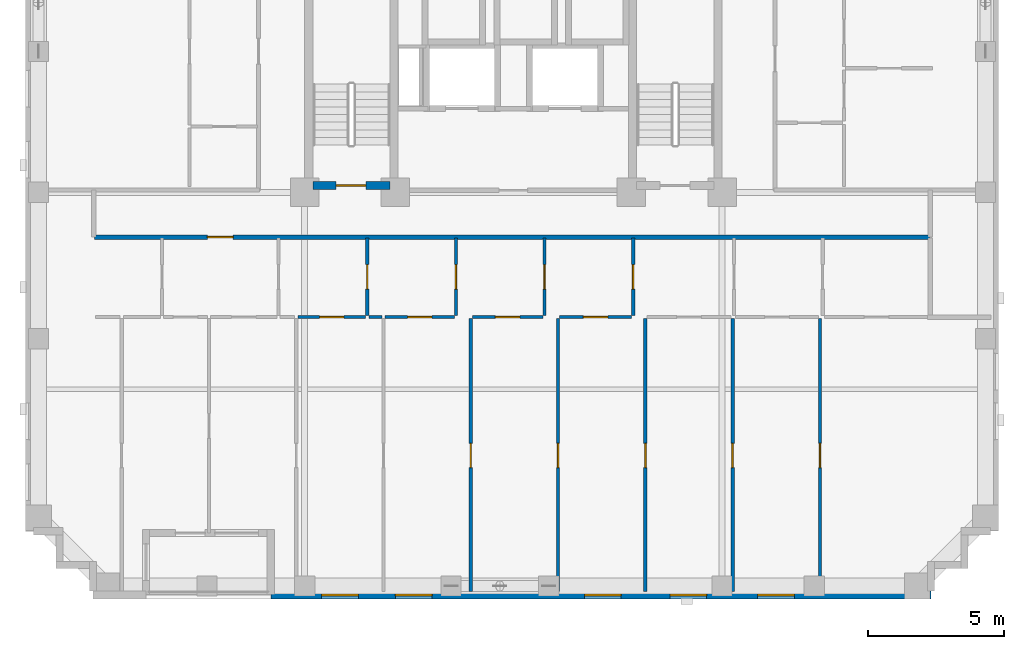
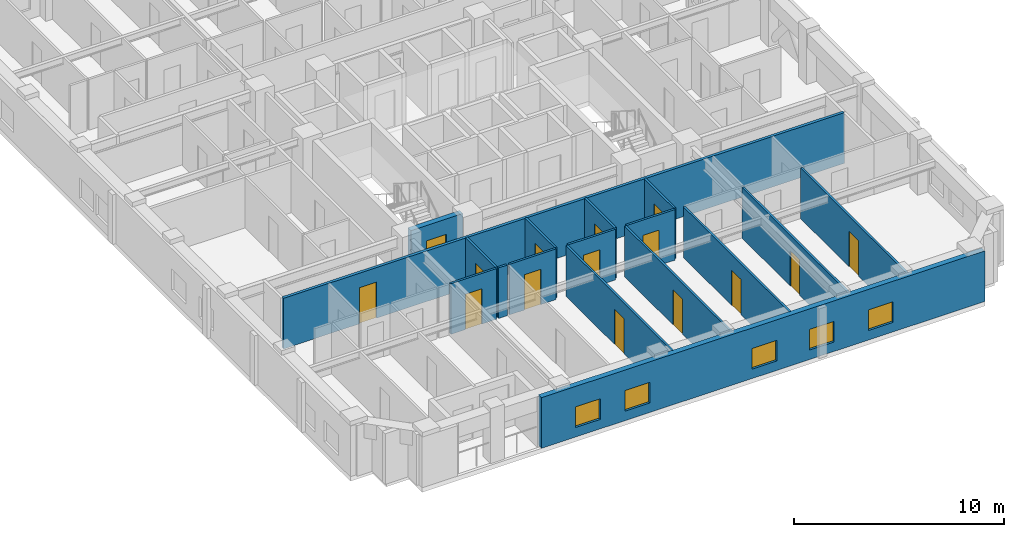
# One storey, part 3 of 13: 17 walls, 15 doors, 5 windows, 20 openings.
"""IFC4 building model written with IfcOpenShell, lengths in metres."""

from ifc_helpers import new_model, si_unit, derived_unit, direction, frame, frame_2d, origin, place, context, subcontext, project, spatial, rectangle, extrude, material, layer, layer_set, type_object, element, fill, save


model = new_model("IFC4")

# Units and contexts
model_context = context("Model", 3, precision=1e-05, world=origin(), true_north=direction((0.0, 1.0)))
body_context = subcontext(model_context, "Body", "Model", "MODEL_VIEW")
ifc_project = project(units=[si_unit("LENGTHUNIT", "METRE"), si_unit("AREAUNIT", "SQUARE_METRE"), si_unit("VOLUMEUNIT", "CUBIC_METRE"), si_unit("PLANEANGLEUNIT", "RADIAN"), si_unit("MASSUNIT", "GRAM", prefix="KILO"), derived_unit("THERMALTRANSMITTANCEUNIT", [(si_unit("MASSUNIT", "GRAM", prefix="KILO"), 1), (si_unit("TIMEUNIT", "SECOND"), -3), (si_unit("THERMODYNAMICTEMPERATUREUNIT", "KELVIN"), -1)])], contexts=[model_context])

# Site, building, storey
site_placement = place(None, origin())
site = spatial("IfcSite", under=ifc_project, at=site_placement, CompositionType="ELEMENT")
building_placement = place(site_placement, origin())
building = spatial("IfcBuilding", under=site, at=building_placement, Name="Korrvale Station Residences", CompositionType="ELEMENT")
storey_placement = place(building_placement, frame((0.0, 0.0, 100.699951171875)))
storey = spatial("IfcBuildingStorey", under=building, at=storey_placement, Name="L28", CompositionType="ELEMENT", Elevation=100.699951171875)

# Wall, opening, door
ifc_material_1 = material(Name="Concrete C60/75", Category="concrete")
ifc_layer_1 = layer(ifc_material_1, 0.300048828125, Name="Concrete C60/75")
ifc_layer_set_1 = layer_set([ifc_layer_1], Name="Concrete C60/75")
wall_type_1 = type_object("IfcWallType", Name="WAL-CORE-300-C60", PredefinedType="SHEAR", material=ifc_layer_set_1)
wall_1_placement = place(storey_placement, frame((18.10009765625, 15.25, 0.0), z_axis=(0.0, 0.0, 1.0), x_axis=(1.0, 0.0, 0.0)))
wall_1 = element("IfcWall", 1, at=wall_1_placement, inside=storey, type_object=wall_type_1, Name="L28 ST-1 Core Shear Wall South", PredefinedType="SHEAR", context=body_context, shape_type="SweptSolid", body=[
    extrude(rectangle(XDim=2.849853515625, YDim=0.300048828125, at=frame_2d((1.4248046875, 0.0))), origin(), (0.0, 0.0, 1.0), 2.93994140625),
])
opening_1_placement = place(wall_1_placement, frame((0.860107421875, 0.0, 0.0)))
opening_1 = element("IfcOpeningElement", 2, at=opening_1_placement, cuts=wall_1, Name="Opening SD-1100", PredefinedType="OPENING", context=body_context, shape_type="SweptSolid", body=[
    extrude(rectangle(XDim=1.10009765625, YDim=2.050048828125, at=frame_2d((0.550048828125, 1.02490234375))), frame((0.0, 0.16015625, 0.0), z_axis=(0.0, -1.0, 0.0), x_axis=(1.0, 0.0, 0.0)), (0.0, 0.0, 1.0), 0.320068359375),
])
ifc_material_2 = material(Name="Hollow-metal fire-rated stair door with closer", Category="steel")
door_type_1 = type_object("IfcDoorType", Name="DR-STAIR-1100", OperationType="NOTDEFINED", PredefinedType="DOOR", material=ifc_material_2)
door_1_placement = place(opening_1_placement, origin())
door_1 = element("IfcDoor", 3, at=door_1_placement, inside=storey, type_object=door_type_1, Name="L28 ST-1 Exit Stair Door", OperationType="SINGLE_SWING_LEFT", OverallHeight=2.050048828125, OverallWidth=1.10009765625, PredefinedType="DOOR", context=body_context, shape_type="SweptSolid", body=[
    extrude(rectangle(XDim=1.10009765625, YDim=2.050048828125, at=frame_2d((0.550048828125, 1.02490234375))), frame((0.0, 0.02490234375, 0.0), z_axis=(0.0, -1.0, 0.0), x_axis=(1.0, 0.0, 0.0)), (0.0, 0.0, 1.0), 0.050048828125),
])
fill(opening_1, door_1)

# Wall, openings, windows
ifc_material_3 = material(Name="Precast concrete C45/55", Category="concrete")
ifc_layer_2 = layer(ifc_material_3, 0.300048828125, Name="Precast concrete C45/55")
ifc_layer_set_2 = layer_set([ifc_layer_2], Name="Precast concrete C45/55")
wall_type_2 = type_object("IfcWallType", Name="WAL-EXT-PC300", PredefinedType="SOLIDWALL", material=ifc_layer_set_2)
wall_2_placement = place(storey_placement, frame((40.89990234375, 0.14990234375, 0.0), z_axis=(0.0, 0.0, 1.0), x_axis=(-1.0, 0.0, 0.0)))
wall_2 = element("IfcWall", 4, at=wall_2_placement, inside=storey, type_object=wall_type_2, Name="L28 South Exterior Precast Wall 1", PredefinedType="SOLIDWALL", context=body_context, shape_type="SweptSolid", body=[
    extrude(rectangle(XDim=24.349853515625, YDim=0.300048828125, at=frame_2d((12.1748046875, 0.0))), origin(), (0.0, 0.0, 1.0), 2.93994140625),
])
opening_2_placement = place(wall_2_placement, frame((21.118896484375, 0.0, 0.550048828125)))
opening_2 = element("IfcOpeningElement", 5, at=opening_2_placement, cuts=wall_2, Name="Opening W-10", PredefinedType="OPENING", context=body_context, shape_type="SweptSolid", body=[
    extrude(rectangle(XDim=1.35009765625, YDim=1.199951171875, at=frame_2d((0.675048828125, 0.60009765625))), frame((0.0, 0.16015625, 0.0), z_axis=(0.0, -1.0, 0.0), x_axis=(1.0, 0.0, 0.0)), (0.0, 0.0, 1.0), 0.320068359375),
])
opening_3_placement = place(wall_2_placement, frame((18.39990234375, 0.0, 0.550048828125)))
opening_3 = element("IfcOpeningElement", 6, at=opening_3_placement, cuts=wall_2, Name="Opening W-10", PredefinedType="OPENING", context=body_context, shape_type="SweptSolid", body=[
    extrude(rectangle(XDim=1.35009765625, YDim=1.199951171875, at=frame_2d((0.675048828125, 0.60009765625))), frame((0.0, 0.16015625, 0.0), z_axis=(0.0, -1.0, 0.0), x_axis=(1.0, 0.0, 0.0)), (0.0, 0.0, 1.0), 0.320068359375),
])
opening_4_placement = place(wall_2_placement, frame((11.424072265625, 0.0, 0.550048828125)))
opening_4 = element("IfcOpeningElement", 7, at=opening_4_placement, cuts=wall_2, Name="Opening W-10", PredefinedType="OPENING", context=body_context, shape_type="SweptSolid", body=[
    extrude(rectangle(XDim=1.35009765625, YDim=1.199951171875, at=frame_2d((0.675048828125, 0.60009765625))), frame((0.0, 0.16015625, 0.0), z_axis=(0.0, -1.0, 0.0), x_axis=(1.0, 0.0, 0.0)), (0.0, 0.0, 1.0), 0.320068359375),
])
opening_5_placement = place(wall_2_placement, frame((8.26806640625, 0.0, 0.550048828125)))
opening_5 = element("IfcOpeningElement", 8, at=opening_5_placement, cuts=wall_2, Name="Opening W-10", PredefinedType="OPENING", context=body_context, shape_type="SweptSolid", body=[
    extrude(rectangle(XDim=1.35009765625, YDim=1.199951171875, at=frame_2d((0.675048828125, 0.60009765625))), frame((0.0, 0.16015625, 0.0), z_axis=(0.0, -1.0, 0.0), x_axis=(1.0, 0.0, 0.0)), (0.0, 0.0, 1.0), 0.320068359375),
])
opening_6_placement = place(wall_2_placement, frame((5.037109375, 0.0, 0.550048828125)))
opening_6 = element("IfcOpeningElement", 9, at=opening_6_placement, cuts=wall_2, Name="Opening W-10", PredefinedType="OPENING", context=body_context, shape_type="SweptSolid", body=[
    extrude(rectangle(XDim=1.35009765625, YDim=1.199951171875, at=frame_2d((0.675048828125, 0.60009765625))), frame((0.0, 0.16015625, 0.0), z_axis=(0.0, -1.0, 0.0), x_axis=(1.0, 0.0, 0.0)), (0.0, 0.0, 1.0), 0.320068359375),
])
ifc_material_4 = material(Name="Thermally broken aluminium frame with triple low-e glazing", Category="aluminium")
window_type = type_object("IfcWindowType", Name="WIN-W10", PartitioningType="SINGLE_PANEL", PredefinedType="WINDOW", material=ifc_material_4)
window_1_placement = place(opening_2_placement, origin())
window_1 = element("IfcWindow", 10, at=window_1_placement, inside=storey, type_object=window_type, Name="L28 Punched Window 05", OverallHeight=1.199951171875, OverallWidth=1.35009765625, PartitioningType="SINGLE_PANEL", PredefinedType="WINDOW", context=body_context, shape_type="SweptSolid", body=[
    extrude(rectangle(XDim=1.35009765625, YDim=1.199951171875, at=frame_2d((0.675048828125, 0.60009765625))), frame((0.0, 0.030029296875, 0.0), z_axis=(0.0, -1.0, 0.0), x_axis=(1.0, 0.0, 0.0)), (0.0, 0.0, 1.0), 0.06005859375),
])
fill(opening_2, window_1)
window_2_placement = place(opening_3_placement, origin())
window_2 = element("IfcWindow", 11, at=window_2_placement, inside=storey, type_object=window_type, Name="L28 Punched Window 06", OverallHeight=1.199951171875, OverallWidth=1.35009765625, PartitioningType="SINGLE_PANEL", PredefinedType="WINDOW", context=body_context, shape_type="SweptSolid", body=[
    extrude(rectangle(XDim=1.35009765625, YDim=1.199951171875, at=frame_2d((0.675048828125, 0.60009765625))), frame((0.0, 0.030029296875, 0.0), z_axis=(0.0, -1.0, 0.0), x_axis=(1.0, 0.0, 0.0)), (0.0, 0.0, 1.0), 0.06005859375),
])
fill(opening_3, window_2)
window_3_placement = place(opening_4_placement, origin())
window_3 = element("IfcWindow", 12, at=window_3_placement, inside=storey, type_object=window_type, Name="L28 Punched Window 07", OverallHeight=1.199951171875, OverallWidth=1.35009765625, PartitioningType="SINGLE_PANEL", PredefinedType="WINDOW", context=body_context, shape_type="SweptSolid", body=[
    extrude(rectangle(XDim=1.35009765625, YDim=1.199951171875, at=frame_2d((0.675048828125, 0.60009765625))), frame((0.0, 0.030029296875, 0.0), z_axis=(0.0, -1.0, 0.0), x_axis=(1.0, 0.0, 0.0)), (0.0, 0.0, 1.0), 0.06005859375),
])
fill(opening_4, window_3)
window_4_placement = place(opening_5_placement, origin())
window_4 = element("IfcWindow", 13, at=window_4_placement, inside=storey, type_object=window_type, Name="L28 Punched Window 08", OverallHeight=1.199951171875, OverallWidth=1.35009765625, PartitioningType="SINGLE_PANEL", PredefinedType="WINDOW", context=body_context, shape_type="SweptSolid", body=[
    extrude(rectangle(XDim=1.35009765625, YDim=1.199951171875, at=frame_2d((0.675048828125, 0.60009765625))), frame((0.0, 0.030029296875, 0.0), z_axis=(0.0, -1.0, 0.0), x_axis=(1.0, 0.0, 0.0)), (0.0, 0.0, 1.0), 0.06005859375),
])
fill(opening_5, window_4)
window_5_placement = place(opening_6_placement, origin())
window_5 = element("IfcWindow", 14, at=window_5_placement, inside=storey, type_object=window_type, Name="L28 Punched Window 09", OverallHeight=1.199951171875, OverallWidth=1.35009765625, PartitioningType="SINGLE_PANEL", PredefinedType="WINDOW", context=body_context, shape_type="SweptSolid", body=[
    extrude(rectangle(XDim=1.35009765625, YDim=1.199951171875, at=frame_2d((0.675048828125, 0.60009765625))), frame((0.0, 0.030029296875, 0.0), z_axis=(0.0, -1.0, 0.0), x_axis=(1.0, 0.0, 0.0)), (0.0, 0.0, 1.0), 0.06005859375),
])
fill(opening_6, window_5)

# Wall, opening, door
ifc_material_5 = material(Name="Acoustic steel-stud gypsum board partition", Category="steel")
ifc_layer_3 = layer(ifc_material_5, 0.1201171875, Name="Acoustic steel-stud gypsum board partition")
ifc_layer_set_3 = layer_set([ifc_layer_3], Name="Acoustic steel-stud gypsum board partition")
wall_type_3 = type_object("IfcWallType", Name="WAL-PART-125", PredefinedType="PARTITIONING", material=ifc_layer_set_3)
wall_3_placement = place(storey_placement, frame((20.110107421875, 10.4599609375, 0.0), z_axis=(0.0, 0.0, 1.0), x_axis=(0.0, 1.0, 0.0)))
wall_3 = element("IfcWall", 15, at=wall_3_placement, inside=storey, type_object=wall_type_3, Name="L28 Suite Partition U01-V23", PredefinedType="PARTITIONING", context=body_context, shape_type="SweptSolid", body=[
    extrude(rectangle(XDim=2.85009765625, YDim=0.1201171875, at=frame_2d((1.425048828125, 0.0))), origin(), (0.0, 0.0, 1.0), 2.93994140625),
])
opening_7_placement = place(wall_3_placement, frame((0.97509765625, 0.0, 0.0)))
opening_7 = element("IfcOpeningElement", 16, at=opening_7_placement, cuts=wall_3, Name="Opening DI-900", PredefinedType="OPENING", context=body_context, shape_type="SweptSolid", body=[
    extrude(rectangle(XDim=0.89990234375, YDim=2.050048828125, at=frame_2d((0.449951171875, 1.02490234375))), frame((0.0, 0.070068359375, 0.0), z_axis=(0.0, -1.0, 0.0), x_axis=(1.0, 0.0, 0.0)), (0.0, 0.0, 1.0), 0.14013671875),
])
ifc_material_6 = material(Name="Painted solid-core timber interior room door", Category="wood")
door_type_2 = type_object("IfcDoorType", Name="DR-INT-900", OperationType="NOTDEFINED", PredefinedType="DOOR", material=ifc_material_6)
door_2_placement = place(opening_7_placement, origin())
door_2 = element("IfcDoor", 17, at=door_2_placement, inside=storey, type_object=door_type_2, Name="L28 Studio Apartment L28-U01 Home Study Room Door", OperationType="SINGLE_SWING_RIGHT", OverallHeight=2.050048828125, OverallWidth=0.89990234375, PredefinedType="DOOR", context=body_context, shape_type="SweptSolid", body=[
    extrude(rectangle(XDim=0.89990234375, YDim=2.050048828125, at=frame_2d((0.449951171875, 1.02490234375))), frame((0.0, 0.02490234375, 0.0), z_axis=(0.0, -1.0, 0.0), x_axis=(1.0, 0.0, 0.0)), (0.0, 0.0, 1.0), 0.050048828125),
])
fill(opening_7, door_2)

wall_4_placement = place(storey_placement, frame((17.550048828125, 10.39990234375, 0.0), z_axis=(0.0, 0.0, 1.0), x_axis=(1.0, 0.0, 0.0)))
wall_4 = element("IfcWall", 18, at=wall_4_placement, inside=storey, type_object=wall_type_3, Name="L28 Suite Partition U01-H212", PredefinedType="PARTITIONING", context=body_context, shape_type="SweptSolid", body=[
    extrude(rectangle(XDim=2.5, YDim=0.1201171875, at=frame_2d((1.25, 0.0))), origin(), (0.0, 0.0, 1.0), 2.93994140625),
])
opening_8_placement = place(wall_4_placement, frame((0.800048828125, 0.0, 0.0)))
opening_8 = element("IfcOpeningElement", 19, at=opening_8_placement, cuts=wall_4, Name="Opening DI-900", PredefinedType="OPENING", context=body_context, shape_type="SweptSolid", body=[
    extrude(rectangle(XDim=0.89990234375, YDim=2.050048828125, at=frame_2d((0.449951171875, 1.02490234375))), frame((0.0, 0.070068359375, 0.0), z_axis=(0.0, -1.0, 0.0), x_axis=(1.0, 0.0, 0.0)), (0.0, 0.0, 1.0), 0.14013671875),
])
door_3_placement = place(opening_8_placement, origin())
door_3 = element("IfcDoor", 20, at=door_3_placement, inside=storey, type_object=door_type_2, Name="L28 Studio Apartment L28-U01 Home Study Room Door", OperationType="SINGLE_SWING_LEFT", OverallHeight=2.050048828125, OverallWidth=0.89990234375, PredefinedType="DOOR", context=body_context, shape_type="SweptSolid", body=[
    extrude(rectangle(XDim=0.89990234375, YDim=2.050048828125, at=frame_2d((0.449951171875, 1.02490234375))), frame((0.0, 0.02490234375, 0.0), z_axis=(0.0, -1.0, 0.0), x_axis=(1.0, 0.0, 0.0)), (0.0, 0.0, 1.0), 0.050048828125),
])
fill(opening_8, door_3)

wall_5_placement = place(storey_placement, frame((23.3798828125, 10.4599609375, 0.0), z_axis=(0.0, 0.0, 1.0), x_axis=(0.0, 1.0, 0.0)))
wall_5 = element("IfcWall", 21, at=wall_5_placement, inside=storey, type_object=wall_type_3, Name="L28 Suite Partition U01-V34", PredefinedType="PARTITIONING", context=body_context, shape_type="SweptSolid", body=[
    extrude(rectangle(XDim=2.85009765625, YDim=0.1201171875, at=frame_2d((1.425048828125, 0.0))), origin(), (0.0, 0.0, 1.0), 2.93994140625),
])
opening_9_placement = place(wall_5_placement, frame((0.97509765625, 0.0, 0.0)))
opening_9 = element("IfcOpeningElement", 22, at=opening_9_placement, cuts=wall_5, Name="Opening DI-900", PredefinedType="OPENING", context=body_context, shape_type="SweptSolid", body=[
    extrude(rectangle(XDim=0.89990234375, YDim=2.050048828125, at=frame_2d((0.449951171875, 1.02490234375))), frame((0.0, 0.070068359375, 0.0), z_axis=(0.0, -1.0, 0.0), x_axis=(1.0, 0.0, 0.0)), (0.0, 0.0, 1.0), 0.14013671875),
])
door_4_placement = place(opening_9_placement, origin())
door_4 = element("IfcDoor", 23, at=door_4_placement, inside=storey, type_object=door_type_2, Name="L28 Studio Apartment L28-U01 Home Study Room Door", OperationType="SINGLE_SWING_RIGHT", OverallHeight=2.050048828125, OverallWidth=0.89990234375, PredefinedType="DOOR", context=body_context, shape_type="SweptSolid", body=[
    extrude(rectangle(XDim=0.89990234375, YDim=2.050048828125, at=frame_2d((0.449951171875, 1.02490234375))), frame((0.0, 0.02490234375, 0.0), z_axis=(0.0, -1.0, 0.0), x_axis=(1.0, 0.0, 0.0)), (0.0, 0.0, 1.0), 0.050048828125),
])
fill(opening_9, door_4)

# Wall
wall_6_placement = place(storey_placement, frame((20.169921875, 10.39990234375, 0.0), z_axis=(0.0, 0.0, 1.0), x_axis=(1.0, 0.0, 0.0)))
element("IfcWall", 24, at=wall_6_placement, inside=storey, type_object=wall_type_3, Name="L28 Suite Partition U01-H312", PredefinedType="PARTITIONING", context=body_context, shape_type="SweptSolid", body=[
    extrude(rectangle(XDim=0.47998046875, YDim=0.1201171875, at=frame_2d((0.239990234375, 0.0))), origin(), (0.0, 0.0, 1.0), 2.93994140625),
])

# Wall, opening, door
wall_7_placement = place(storey_placement, frame((20.77001953125, 10.39990234375, 0.0), z_axis=(0.0, 0.0, 1.0), x_axis=(1.0, 0.0, 0.0)))
wall_7 = element("IfcWall", 25, at=wall_7_placement, inside=storey, type_object=wall_type_3, Name="L28 Suite Partition U01-H313", PredefinedType="PARTITIONING", context=body_context, shape_type="SweptSolid", body=[
    extrude(rectangle(XDim=2.550048828125, YDim=0.1201171875, at=frame_2d((1.27490234375, 0.0))), origin(), (0.0, 0.0, 1.0), 2.93994140625),
])
opening_10_placement = place(wall_7_placement, frame((0.824951171875, 0.0, 0.0)))
opening_10 = element("IfcOpeningElement", 26, at=opening_10_placement, cuts=wall_7, Name="Opening DI-900", PredefinedType="OPENING", context=body_context, shape_type="SweptSolid", body=[
    extrude(rectangle(XDim=0.89990234375, YDim=2.050048828125, at=frame_2d((0.449951171875, 1.02490234375))), frame((0.0, 0.070068359375, 0.0), z_axis=(0.0, -1.0, 0.0), x_axis=(1.0, 0.0, 0.0)), (0.0, 0.0, 1.0), 0.14013671875),
])
door_5_placement = place(opening_10_placement, origin())
door_5 = element("IfcDoor", 27, at=door_5_placement, inside=storey, type_object=door_type_2, Name="L28 Studio Apartment L28-U01 Home Study Room Door", OperationType="SINGLE_SWING_LEFT", OverallHeight=2.050048828125, OverallWidth=0.89990234375, PredefinedType="DOOR", context=body_context, shape_type="SweptSolid", body=[
    extrude(rectangle(XDim=0.89990234375, YDim=2.050048828125, at=frame_2d((0.449951171875, 1.02490234375))), frame((0.0, 0.02490234375, 0.0), z_axis=(0.0, -1.0, 0.0), x_axis=(1.0, 0.0, 0.0)), (0.0, 0.0, 1.0), 0.050048828125),
])
fill(opening_10, door_5)

wall_8_placement = place(storey_placement, frame((26.64990234375, 10.4599609375, 0.0), z_axis=(0.0, 0.0, 1.0), x_axis=(0.0, 1.0, 0.0)))
wall_8 = element("IfcWall", 28, at=wall_8_placement, inside=storey, type_object=wall_type_3, Name="L28 Suite Partition U01-V45", PredefinedType="PARTITIONING", context=body_context, shape_type="SweptSolid", body=[
    extrude(rectangle(XDim=2.85009765625, YDim=0.1201171875, at=frame_2d((1.425048828125, 0.0))), origin(), (0.0, 0.0, 1.0), 2.93994140625),
])
opening_11_placement = place(wall_8_placement, frame((0.97509765625, 0.0, 0.0)))
opening_11 = element("IfcOpeningElement", 29, at=opening_11_placement, cuts=wall_8, Name="Opening DI-900", PredefinedType="OPENING", context=body_context, shape_type="SweptSolid", body=[
    extrude(rectangle(XDim=0.89990234375, YDim=2.050048828125, at=frame_2d((0.449951171875, 1.02490234375))), frame((0.0, 0.070068359375, 0.0), z_axis=(0.0, -1.0, 0.0), x_axis=(1.0, 0.0, 0.0)), (0.0, 0.0, 1.0), 0.14013671875),
])
door_6_placement = place(opening_11_placement, origin())
door_6 = element("IfcDoor", 30, at=door_6_placement, inside=storey, type_object=door_type_2, Name="L28 Studio Apartment L28-U01 Home Study Room Door", OperationType="SINGLE_SWING_RIGHT", OverallHeight=2.050048828125, OverallWidth=0.89990234375, PredefinedType="DOOR", context=body_context, shape_type="SweptSolid", body=[
    extrude(rectangle(XDim=0.89990234375, YDim=2.050048828125, at=frame_2d((0.449951171875, 1.02490234375))), frame((0.0, 0.02490234375, 0.0), z_axis=(0.0, -1.0, 0.0), x_axis=(1.0, 0.0, 0.0)), (0.0, 0.0, 1.0), 0.050048828125),
])
fill(opening_11, door_6)

wall_9_placement = place(storey_placement, frame((23.989990234375, 10.39990234375, 0.0), z_axis=(0.0, 0.0, 1.0), x_axis=(1.0, 0.0, 0.0)))
wall_9 = element("IfcWall", 31, at=wall_9_placement, inside=storey, type_object=wall_type_3, Name="L28 Suite Partition U01-H414", PredefinedType="PARTITIONING", context=body_context, shape_type="SweptSolid", body=[
    extrude(rectangle(XDim=2.60009765625, YDim=0.1201171875, at=frame_2d((1.300048828125, 0.0))), origin(), (0.0, 0.0, 1.0), 2.93994140625),
])
opening_12_placement = place(wall_9_placement, frame((0.85009765625, 0.0, 0.0)))
opening_12 = element("IfcOpeningElement", 32, at=opening_12_placement, cuts=wall_9, Name="Opening DI-900", PredefinedType="OPENING", context=body_context, shape_type="SweptSolid", body=[
    extrude(rectangle(XDim=0.89990234375, YDim=2.050048828125, at=frame_2d((0.449951171875, 1.02490234375))), frame((0.0, 0.070068359375, 0.0), z_axis=(0.0, -1.0, 0.0), x_axis=(1.0, 0.0, 0.0)), (0.0, 0.0, 1.0), 0.14013671875),
])
door_7_placement = place(opening_12_placement, origin())
door_7 = element("IfcDoor", 33, at=door_7_placement, inside=storey, type_object=door_type_2, Name="L28 Studio Apartment L28-U01 Home Study Room Door", OperationType="SINGLE_SWING_LEFT", OverallHeight=2.050048828125, OverallWidth=0.89990234375, PredefinedType="DOOR", context=body_context, shape_type="SweptSolid", body=[
    extrude(rectangle(XDim=0.89990234375, YDim=2.050048828125, at=frame_2d((0.449951171875, 1.02490234375))), frame((0.0, 0.02490234375, 0.0), z_axis=(0.0, -1.0, 0.0), x_axis=(1.0, 0.0, 0.0)), (0.0, 0.0, 1.0), 0.050048828125),
])
fill(opening_12, door_7)

wall_10_placement = place(storey_placement, frame((29.919921875, 10.4599609375, 0.0), z_axis=(0.0, 0.0, 1.0), x_axis=(0.0, 1.0, 0.0)))
wall_10 = element("IfcWall", 34, at=wall_10_placement, inside=storey, type_object=wall_type_3, Name="L28 Suite Partition U01-V56", PredefinedType="PARTITIONING", context=body_context, shape_type="SweptSolid", body=[
    extrude(rectangle(XDim=2.85009765625, YDim=0.1201171875, at=frame_2d((1.425048828125, 0.0))), origin(), (0.0, 0.0, 1.0), 2.93994140625),
])
opening_13_placement = place(wall_10_placement, frame((0.97509765625, 0.0, 0.0)))
opening_13 = element("IfcOpeningElement", 35, at=opening_13_placement, cuts=wall_10, Name="Opening DI-900", PredefinedType="OPENING", context=body_context, shape_type="SweptSolid", body=[
    extrude(rectangle(XDim=0.89990234375, YDim=2.050048828125, at=frame_2d((0.449951171875, 1.02490234375))), frame((0.0, 0.070068359375, 0.0), z_axis=(0.0, -1.0, 0.0), x_axis=(1.0, 0.0, 0.0)), (0.0, 0.0, 1.0), 0.14013671875),
])
door_8_placement = place(opening_13_placement, origin())
door_8 = element("IfcDoor", 36, at=door_8_placement, inside=storey, type_object=door_type_2, Name="L28 Studio Apartment L28-U01 Home Study Room Door", OperationType="SINGLE_SWING_RIGHT", OverallHeight=2.050048828125, OverallWidth=0.89990234375, PredefinedType="DOOR", context=body_context, shape_type="SweptSolid", body=[
    extrude(rectangle(XDim=0.89990234375, YDim=2.050048828125, at=frame_2d((0.449951171875, 1.02490234375))), frame((0.0, 0.02490234375, 0.0), z_axis=(0.0, -1.0, 0.0), x_axis=(1.0, 0.0, 0.0)), (0.0, 0.0, 1.0), 0.050048828125),
])
fill(opening_13, door_8)

wall_11_placement = place(storey_placement, frame((27.2099609375, 10.39990234375, 0.0), z_axis=(0.0, 0.0, 1.0), x_axis=(1.0, 0.0, 0.0)))
wall_11 = element("IfcWall", 37, at=wall_11_placement, inside=storey, type_object=wall_type_3, Name="L28 Suite Partition U01-H515", PredefinedType="PARTITIONING", context=body_context, shape_type="SweptSolid", body=[
    extrude(rectangle(XDim=2.650146484375, YDim=0.1201171875, at=frame_2d((1.3251953125, 0.0))), origin(), (0.0, 0.0, 1.0), 2.93994140625),
])
opening_14_placement = place(wall_11_placement, frame((0.875, 0.0, 0.0)))
opening_14 = element("IfcOpeningElement", 38, at=opening_14_placement, cuts=wall_11, Name="Opening DI-900", PredefinedType="OPENING", context=body_context, shape_type="SweptSolid", body=[
    extrude(rectangle(XDim=0.89990234375, YDim=2.050048828125, at=frame_2d((0.449951171875, 1.02490234375))), frame((0.0, 0.070068359375, 0.0), z_axis=(0.0, -1.0, 0.0), x_axis=(1.0, 0.0, 0.0)), (0.0, 0.0, 1.0), 0.14013671875),
])
door_9_placement = place(opening_14_placement, origin())
door_9 = element("IfcDoor", 39, at=door_9_placement, inside=storey, type_object=door_type_2, Name="L28 Studio Apartment L28-U01 Home Study Room Door", OperationType="SINGLE_SWING_LEFT", OverallHeight=2.050048828125, OverallWidth=0.89990234375, PredefinedType="DOOR", context=body_context, shape_type="SweptSolid", body=[
    extrude(rectangle(XDim=0.89990234375, YDim=2.050048828125, at=frame_2d((0.449951171875, 1.02490234375))), frame((0.0, 0.02490234375, 0.0), z_axis=(0.0, -1.0, 0.0), x_axis=(1.0, 0.0, 0.0)), (0.0, 0.0, 1.0), 0.050048828125),
])
fill(opening_14, door_9)

wall_12_placement = place(storey_placement, frame((23.929931640625, 0.280029296875, 0.0), z_axis=(0.0, 0.0, 1.0), x_axis=(0.0, 1.0, 0.0)))
wall_12 = element("IfcWall", 40, at=wall_12_placement, inside=storey, type_object=wall_type_3, Name="L28 Suite Partition U01-V1314", PredefinedType="PARTITIONING", context=body_context, shape_type="SweptSolid", body=[
    extrude(rectangle(XDim=10.06005859375, YDim=0.1201171875, at=frame_2d((5.030029296875, 0.0))), origin(), (0.0, 0.0, 1.0), 2.93994140625),
])
opening_15_placement = place(wall_12_placement, frame((4.56494140625, 0.0, 0.0)))
opening_15 = element("IfcOpeningElement", 41, at=opening_15_placement, cuts=wall_12, Name="Opening DI-900", PredefinedType="OPENING", context=body_context, shape_type="SweptSolid", body=[
    extrude(rectangle(XDim=0.89990234375, YDim=2.050048828125, at=frame_2d((0.449951171875, 1.02490234375))), frame((0.0, 0.070068359375, 0.0), z_axis=(0.0, -1.0, 0.0), x_axis=(1.0, 0.0, 0.0)), (0.0, 0.0, 1.0), 0.14013671875),
])
door_10_placement = place(opening_15_placement, origin())
door_10 = element("IfcDoor", 42, at=door_10_placement, inside=storey, type_object=door_type_2, Name="L28 Studio Apartment L28-U01 Formal Dining Room Door", OperationType="SINGLE_SWING_LEFT", OverallHeight=2.050048828125, OverallWidth=0.89990234375, PredefinedType="DOOR", context=body_context, shape_type="SweptSolid", body=[
    extrude(rectangle(XDim=0.89990234375, YDim=2.050048828125, at=frame_2d((0.449951171875, 1.02490234375))), frame((0.0, 0.02490234375, 0.0), z_axis=(0.0, -1.0, 0.0), x_axis=(1.0, 0.0, 0.0)), (0.0, 0.0, 1.0), 0.050048828125),
])
fill(opening_15, door_10)

wall_13_placement = place(storey_placement, frame((27.14990234375, 0.280029296875, 0.0), z_axis=(0.0, 0.0, 1.0), x_axis=(0.0, 1.0, 0.0)))
wall_13 = element("IfcWall", 43, at=wall_13_placement, inside=storey, type_object=wall_type_3, Name="L28 Suite Partition U01-V1415", PredefinedType="PARTITIONING", context=body_context, shape_type="SweptSolid", body=[
    extrude(rectangle(XDim=10.06005859375, YDim=0.1201171875, at=frame_2d((5.030029296875, 0.0))), origin(), (0.0, 0.0, 1.0), 2.93994140625),
])
opening_16_placement = place(wall_13_placement, frame((4.56494140625, 0.0, 0.0)))
opening_16 = element("IfcOpeningElement", 44, at=opening_16_placement, cuts=wall_13, Name="Opening DI-900", PredefinedType="OPENING", context=body_context, shape_type="SweptSolid", body=[
    extrude(rectangle(XDim=0.89990234375, YDim=2.050048828125, at=frame_2d((0.449951171875, 1.02490234375))), frame((0.0, 0.070068359375, 0.0), z_axis=(0.0, -1.0, 0.0), x_axis=(1.0, 0.0, 0.0)), (0.0, 0.0, 1.0), 0.14013671875),
])
door_11_placement = place(opening_16_placement, origin())
door_11 = element("IfcDoor", 45, at=door_11_placement, inside=storey, type_object=door_type_2, Name="L28 Studio Apartment L28-U01 Walk-In Wardrobe Door", OperationType="SINGLE_SWING_RIGHT", OverallHeight=2.050048828125, OverallWidth=0.89990234375, PredefinedType="DOOR", context=body_context, shape_type="SweptSolid", body=[
    extrude(rectangle(XDim=0.89990234375, YDim=2.050048828125, at=frame_2d((0.449951171875, 1.02490234375))), frame((0.0, 0.02490234375, 0.0), z_axis=(0.0, -1.0, 0.0), x_axis=(1.0, 0.0, 0.0)), (0.0, 0.0, 1.0), 0.050048828125),
])
fill(opening_16, door_11)

wall_14_placement = place(storey_placement, frame((30.3701171875, 0.280029296875, 0.0), z_axis=(0.0, 0.0, 1.0), x_axis=(0.0, 1.0, 0.0)))
wall_14 = element("IfcWall", 46, at=wall_14_placement, inside=storey, type_object=wall_type_3, Name="L28 Suite Partition U01-V1516", PredefinedType="PARTITIONING", context=body_context, shape_type="SweptSolid", body=[
    extrude(rectangle(XDim=10.06005859375, YDim=0.1201171875, at=frame_2d((5.030029296875, 0.0))), origin(), (0.0, 0.0, 1.0), 2.93994140625),
])
opening_17_placement = place(wall_14_placement, frame((4.56494140625, 0.0, 0.0)))
opening_17 = element("IfcOpeningElement", 47, at=opening_17_placement, cuts=wall_14, Name="Opening DI-900", PredefinedType="OPENING", context=body_context, shape_type="SweptSolid", body=[
    extrude(rectangle(XDim=0.89990234375, YDim=2.050048828125, at=frame_2d((0.449951171875, 1.02490234375))), frame((0.0, 0.070068359375, 0.0), z_axis=(0.0, -1.0, 0.0), x_axis=(1.0, 0.0, 0.0)), (0.0, 0.0, 1.0), 0.14013671875),
])
door_12_placement = place(opening_17_placement, origin())
door_12 = element("IfcDoor", 48, at=door_12_placement, inside=storey, type_object=door_type_2, Name="L28 Studio Apartment L28-U01 Formal Dining Room Door", OperationType="SINGLE_SWING_LEFT", OverallHeight=2.050048828125, OverallWidth=0.89990234375, PredefinedType="DOOR", context=body_context, shape_type="SweptSolid", body=[
    extrude(rectangle(XDim=0.89990234375, YDim=2.050048828125, at=frame_2d((0.449951171875, 1.02490234375))), frame((0.0, 0.02490234375, 0.0), z_axis=(0.0, -1.0, 0.0), x_axis=(1.0, 0.0, 0.0)), (0.0, 0.0, 1.0), 0.050048828125),
])
fill(opening_17, door_12)

wall_15_placement = place(storey_placement, frame((33.590087890625, 0.280029296875, 0.0), z_axis=(0.0, 0.0, 1.0), x_axis=(0.0, 1.0, 0.0)))
wall_15 = element("IfcWall", 49, at=wall_15_placement, inside=storey, type_object=wall_type_3, Name="L28 Suite Partition U01-V1617", PredefinedType="PARTITIONING", context=body_context, shape_type="SweptSolid", body=[
    extrude(rectangle(XDim=10.06005859375, YDim=0.1201171875, at=frame_2d((5.030029296875, 0.0))), origin(), (0.0, 0.0, 1.0), 2.93994140625),
])
opening_18_placement = place(wall_15_placement, frame((4.56494140625, 0.0, 0.0)))
opening_18 = element("IfcOpeningElement", 50, at=opening_18_placement, cuts=wall_15, Name="Opening DI-900", PredefinedType="OPENING", context=body_context, shape_type="SweptSolid", body=[
    extrude(rectangle(XDim=0.89990234375, YDim=2.050048828125, at=frame_2d((0.449951171875, 1.02490234375))), frame((0.0, 0.070068359375, 0.0), z_axis=(0.0, -1.0, 0.0), x_axis=(1.0, 0.0, 0.0)), (0.0, 0.0, 1.0), 0.14013671875),
])
door_13_placement = place(opening_18_placement, origin())
door_13 = element("IfcDoor", 51, at=door_13_placement, inside=storey, type_object=door_type_2, Name="L28 Studio Apartment L28-U01 Formal Dining Room Door", OperationType="SINGLE_SWING_RIGHT", OverallHeight=2.050048828125, OverallWidth=0.89990234375, PredefinedType="DOOR", context=body_context, shape_type="SweptSolid", body=[
    extrude(rectangle(XDim=0.89990234375, YDim=2.050048828125, at=frame_2d((0.449951171875, 1.02490234375))), frame((0.0, 0.02490234375, 0.0), z_axis=(0.0, -1.0, 0.0), x_axis=(1.0, 0.0, 0.0)), (0.0, 0.0, 1.0), 0.050048828125),
])
fill(opening_18, door_13)

wall_16_placement = place(storey_placement, frame((36.81005859375, 0.280029296875, 0.0), z_axis=(0.0, 0.0, 1.0), x_axis=(0.0, 1.0, 0.0)))
wall_16 = element("IfcWall", 52, at=wall_16_placement, inside=storey, type_object=wall_type_3, Name="L28 Suite Partition U01-V1718", PredefinedType="PARTITIONING", context=body_context, shape_type="SweptSolid", body=[
    extrude(rectangle(XDim=10.06005859375, YDim=0.1201171875, at=frame_2d((5.030029296875, 0.0))), origin(), (0.0, 0.0, 1.0), 2.93994140625),
])
opening_19_placement = place(wall_16_placement, frame((4.56494140625, 0.0, 0.0)))
opening_19 = element("IfcOpeningElement", 53, at=opening_19_placement, cuts=wall_16, Name="Opening DI-900", PredefinedType="OPENING", context=body_context, shape_type="SweptSolid", body=[
    extrude(rectangle(XDim=0.89990234375, YDim=2.050048828125, at=frame_2d((0.449951171875, 1.02490234375))), frame((0.0, 0.070068359375, 0.0), z_axis=(0.0, -1.0, 0.0), x_axis=(1.0, 0.0, 0.0)), (0.0, 0.0, 1.0), 0.14013671875),
])
door_14_placement = place(opening_19_placement, origin())
door_14 = element("IfcDoor", 54, at=door_14_placement, inside=storey, type_object=door_type_2, Name="L28 Studio Apartment L28-U01 Formal Dining Room Door", OperationType="SINGLE_SWING_LEFT", OverallHeight=2.050048828125, OverallWidth=0.89990234375, PredefinedType="DOOR", context=body_context, shape_type="SweptSolid", body=[
    extrude(rectangle(XDim=0.89990234375, YDim=2.050048828125, at=frame_2d((0.449951171875, 1.02490234375))), frame((0.0, 0.02490234375, 0.0), z_axis=(0.0, -1.0, 0.0), x_axis=(1.0, 0.0, 0.0)), (0.0, 0.0, 1.0), 0.050048828125),
])
fill(opening_19, door_14)

ifc_material_7 = material(Name="Fire-rated twin-stud gypsum and mineral wool shaftwall assembly", Category="gypsum")
ifc_layer_4 = layer(ifc_material_7, 0.159912109375, Name="Fire-rated twin-stud gypsum and mineral wool shaftwall assembly")
ifc_layer_set_4 = layer_set([ifc_layer_4], Name="Fire-rated twin-stud gypsum and mineral wool shaftwall assembly")
wall_type_4 = type_object("IfcWallType", Name="WAL-PART-200", PredefinedType="PARTITIONING", material=ifc_layer_set_4)
wall_17_placement = place(storey_placement, frame((10.050048828125, 13.35009765625, 0.0), z_axis=(0.0, 0.0, 1.0), x_axis=(1.0, 0.0, 0.0)))
wall_17 = element("IfcWall", 55, at=wall_17_placement, inside=storey, type_object=wall_type_4, Name="L28 Rated Corridor Wall S", PredefinedType="PARTITIONING", context=body_context, shape_type="SweptSolid", body=[
    extrude(rectangle(XDim=30.800048828125, YDim=0.159912109375, at=frame_2d((15.39990234375, 0.0))), origin(), (0.0, 0.0, 1.0), 2.93994140625),
])
opening_20_placement = place(wall_17_placement, frame((4.1650390625, 0.0, 0.0)))
opening_20 = element("IfcOpeningElement", 56, at=opening_20_placement, cuts=wall_17, Name="Opening UD-950", PredefinedType="OPENING", context=body_context, shape_type="SweptSolid", body=[
    extrude(rectangle(XDim=0.949951171875, YDim=2.10009765625, at=frame_2d((0.47509765625, 1.050048828125))), frame((0.0, 0.08984375, 0.0), z_axis=(0.0, -1.0, 0.0), x_axis=(1.0, 0.0, 0.0)), (0.0, 0.0, 1.0), 0.179931640625),
])
ifc_material_8 = material(Name="Solid-core acoustic oak apartment entrance door", Category="timber")
door_type_3 = type_object("IfcDoorType", Name="DR-UNIT-950", OperationType="NOTDEFINED", PredefinedType="DOOR", material=ifc_material_8)
door_15_placement = place(opening_20_placement, origin())
door_15 = element("IfcDoor", 57, at=door_15_placement, inside=storey, type_object=door_type_3, Name="L28 Apartment L28-U01 Entrance Door", OperationType="SINGLE_SWING_LEFT", OverallHeight=2.10009765625, OverallWidth=0.949951171875, PredefinedType="DOOR", context=body_context, shape_type="SweptSolid", body=[
    extrude(rectangle(XDim=0.949951171875, YDim=2.10009765625, at=frame_2d((0.47509765625, 1.050048828125))), frame((0.0, 0.02490234375, 0.0), z_axis=(0.0, -1.0, 0.0), x_axis=(1.0, 0.0, 0.0)), (0.0, 0.0, 1.0), 0.050048828125),
])
fill(opening_20, door_15)

save(model, "model.ifc")
